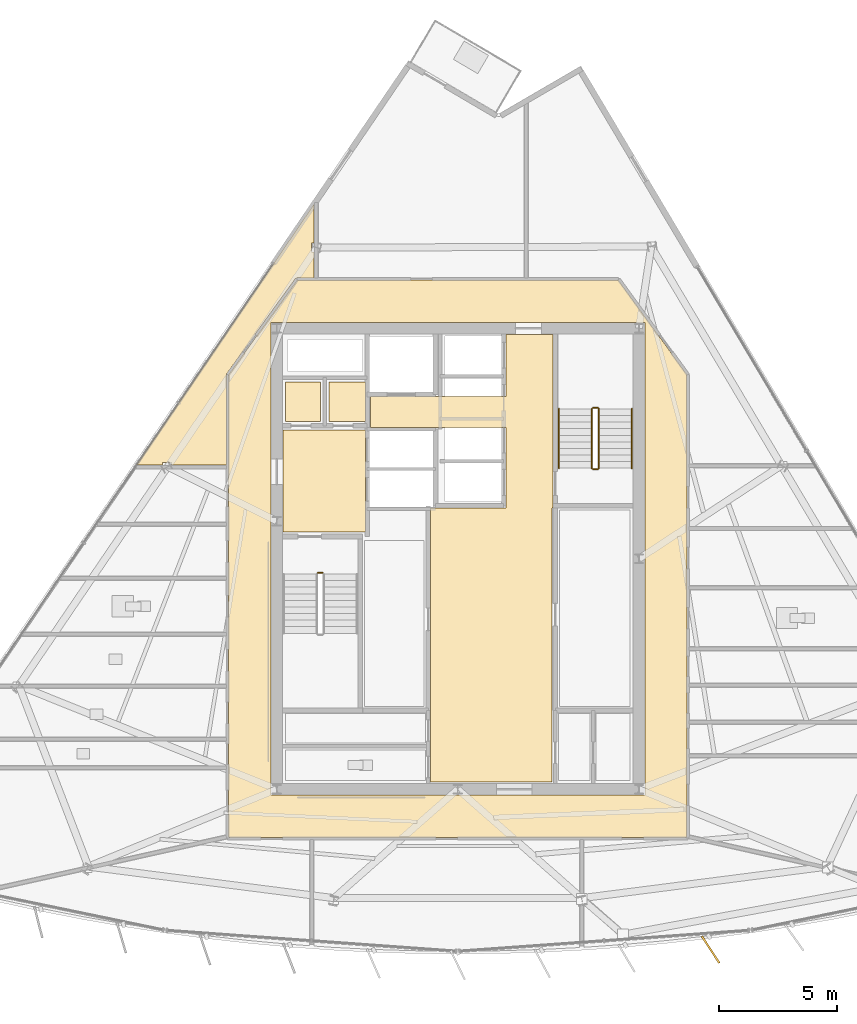
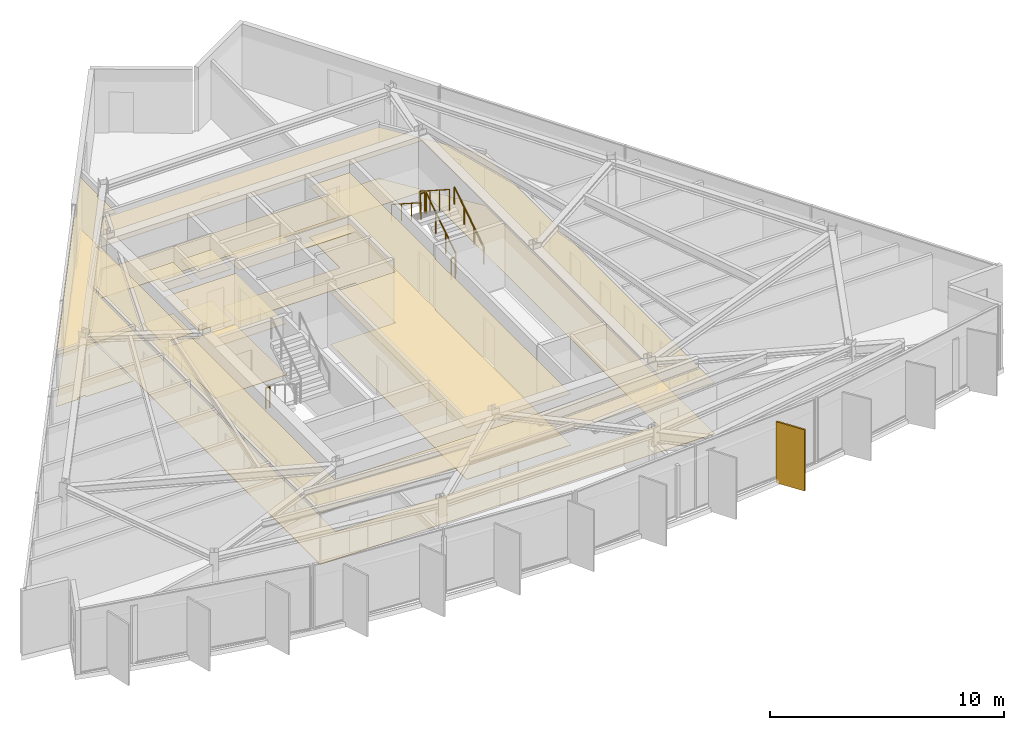
# One storey, part 11 of 13: 12 coverings, 7 railings, 1 shading device.
"""IFC4 building model written with IfcOpenShell, lengths in metres."""

from ifc_helpers import new_model, si_unit, direction, frame, origin, origin_2d, place, context, subcontext, project, spatial, polyline, rectangle, circle, outline, extrude, material, layer, layer_set, type_object, element, save


model = new_model("IFC4")

# Units and contexts
model_context = context("Model", 3, precision=1e-05, world=origin(), true_north=direction((0.0, 1.0)))
body_context = subcontext(model_context, "Body", "Model", "MODEL_VIEW")
ifc_project = project(units=[si_unit("LENGTHUNIT", "METRE"), si_unit("AREAUNIT", "SQUARE_METRE"), si_unit("VOLUMEUNIT", "CUBIC_METRE"), si_unit("PLANEANGLEUNIT", "RADIAN"), si_unit("MASSUNIT", "GRAM", prefix="KILO")], contexts=[model_context])

# Site, building, storey
site_placement = place(None, origin())
site = spatial("IfcSite", under=ifc_project, at=site_placement, CompositionType="ELEMENT")
building_placement = place(site_placement, origin())
building = spatial("IfcBuilding", under=site, at=building_placement, Name="Savorim Split Tower", CompositionType="ELEMENT")
storey_placement = place(building_placement, frame((0.0, 0.0, 258.0)))
storey = spatial("IfcBuildingStorey", under=building, at=storey_placement, Name="L68", CompositionType="ELEMENT", Elevation=258.0)

# Coverings
ifc_material_1 = material(Name="Mineral Fibre Acoustic Ceiling")
ifc_layer_1 = layer(ifc_material_1, 0.02490234375)
ifc_layer_set_1 = layer_set([ifc_layer_1], Name="COV-CEIL-25")
covering_type_1 = type_object("IfcCoveringType", Name="COV-CEIL-25", PredefinedType="CEILING", material=ifc_layer_set_1)
covering_1_placement = place(storey_placement, frame((0.0, 0.0, 2.669921875)))
element("IfcCovering", 1, at=covering_1_placement, inside=storey, type_object=covering_type_1, Name="L68 Firefighting Lift Lobby Acoustic Ceiling", PredefinedType="CEILING", context=body_context, shape_type="SweptSolid", body=[
    extrude(outline(polyline([(-7.429931640625, 5.8701171875), (-7.429931640625, 1.530029296875), (-3.929931640625, 1.530029296875), (-3.929931640625, 5.8701171875), (-7.429931640625, 5.8701171875)])), origin(), (0.0, 0.0, 1.0), 0.025146484375),
])
covering_2_placement = place(storey_placement, frame((0.0, 0.0, 2.669921875)))
element("IfcCovering", 2, at=covering_2_placement, inside=storey, type_object=covering_type_1, Name="L68 Electrical Riser Acoustic Ceiling", PredefinedType="CEILING", context=body_context, shape_type="SweptSolid", body=[
    extrude(outline(polyline([(-7.320068359375, 7.919921875), (-7.320068359375, 6.22998046875), (-5.830078125, 6.22998046875), (-5.830078125, 7.919921875), (-7.320068359375, 7.919921875)])), origin(), (0.0, 0.0, 1.0), 0.025146484375),
])
covering_3_placement = place(storey_placement, frame((0.0, 0.0, 2.669921875)))
element("IfcCovering", 3, at=covering_3_placement, inside=storey, type_object=covering_type_1, Name="L68 Telecom Riser Acoustic Ceiling", PredefinedType="CEILING", context=body_context, shape_type="SweptSolid", body=[
    extrude(outline(polyline([(-5.469970703125, 7.919921875), (-5.469970703125, 6.22998046875), (-3.929931640625, 6.22998046875), (-3.929931640625, 7.919921875), (-5.469970703125, 7.919921875)])), origin(), (0.0, 0.0, 1.0), 0.025146484375),
])
covering_4_placement = place(storey_placement, frame((0.0, 0.0, 2.669921875)))
element("IfcCovering", 4, at=covering_4_placement, inside=storey, type_object=covering_type_1, Name="L68 Lift Lobby Acoustic Ceiling", PredefinedType="CEILING", context=body_context, shape_type="SweptSolid", body=[
    extrude(outline(polyline([(2.050048828125, 2.550048828125), (-1.14990234375, 2.550048828125), (-1.14990234375, -9.10009765625), (4.0, -9.10009765625), (4.0, 2.550048828125), (4.050048828125, 2.550048828125), (4.050048828125, 5.97998046875), (4.050048828125, 7.300048828125), (4.050048828125, 9.929931640625), (2.050048828125, 9.929931640625), (2.050048828125, 7.300048828125), (-3.699951171875, 7.300048828125), (-3.699951171875, 5.97998046875), (2.050048828125, 5.97998046875), (2.050048828125, 2.550048828125)])), origin(), (0.0, 0.0, 1.0), 0.025146484375),
])
covering_5_placement = place(storey_placement, frame((0.0, 0.0, 2.669921875)))
element("IfcCovering", 5, at=covering_5_placement, inside=storey, type_object=covering_type_1, Name="L68 Corridor Acoustic Ceiling", PredefinedType="CEILING", context=body_context, shape_type="SweptSolid", body=[
    extrude(outline(polyline([(6.809326171875, 12.2490234375), (6.8046875, 12.249755859375), (6.800048828125, 12.25), (-6.800048828125, 12.25), (-6.8046875, 12.249755859375), (-6.809326171875, 12.2490234375), (-6.81396484375, 12.248046875), (-6.818359375, 12.24658203125), (-6.82275390625, 12.244384765625), (-6.826904296875, 12.2421875), (-6.830810546875, 12.239501953125), (-6.834228515625, 12.236328125), (-6.83740234375, 12.23291015625), (-6.840576171875, 12.229248046875), (-9.740478515625, 8.229248046875), (-9.743408203125, 8.22509765625), (-9.74560546875, 8.22021484375), (-9.74755859375, 8.21533203125), (-9.748779296875, 8.21044921875), (-9.749755859375, 8.205078125), (-9.75, 8.199951171875), (-9.75, -11.39990234375), (-9.749755859375, -11.40478515625), (-9.7490234375, -11.409912109375), (-9.747802734375, -11.41455078125), (-9.74609375, -11.419189453125), (-9.744140625, -11.423583984375), (-9.74169921875, -11.427734375), (-9.73876953125, -11.431640625), (-9.7353515625, -11.435302734375), (-9.731689453125, -11.438720703125), (-9.727783203125, -11.441650390625), (-9.7236328125, -11.444091796875), (-9.718994140625, -11.4462890625), (-9.714599609375, -11.44775390625), (-9.709716796875, -11.448974609375), (-9.704833984375, -11.44970703125), (-9.699951171875, -11.449951171875), (9.699951171875, -11.449951171875), (9.704833984375, -11.44970703125), (9.709716796875, -11.448974609375), (9.714599609375, -11.44775390625), (9.718994140625, -11.4462890625), (9.7236328125, -11.444091796875), (9.727783203125, -11.441650390625), (9.731689453125, -11.438720703125), (9.7353515625, -11.435302734375), (9.73876953125, -11.431640625), (9.74169921875, -11.427734375), (9.744140625, -11.423583984375), (9.74609375, -11.419189453125), (9.747802734375, -11.41455078125), (9.7490234375, -11.409912109375), (9.749755859375, -11.40478515625), (9.75, -11.39990234375), (9.75, 8.199951171875), (9.749755859375, 8.205078125), (9.748779296875, 8.21044921875), (9.74755859375, 8.21533203125), (9.74560546875, 8.22021484375), (9.743408203125, 8.22509765625), (9.740478515625, 8.229248046875), (6.840576171875, 12.229248046875), (6.83740234375, 12.23291015625), (6.834228515625, 12.236328125), (6.830810546875, 12.239501953125), (6.826904296875, 12.2421875), (6.82275390625, 12.244384765625), (6.818359375, 12.24658203125), (6.81396484375, 12.248046875), (6.809326171875, 12.2490234375)]), holes=[polyline([(-7.949951171875, 10.449951171875), (-7.949951171875, -9.64990234375), (7.949951171875, -9.64990234375), (7.949951171875, 10.449951171875), (-7.949951171875, 10.449951171875)])]), origin(), (0.0, 0.0, 1.0), 0.025146484375),
])
covering_6_placement = place(storey_placement, frame((0.0, 0.0, 2.669921875)))
element("IfcCovering", 6, at=covering_6_placement, inside=storey, type_object=covering_type_1, Name="L68 Co-Living Bedroom Acoustic Ceiling", PredefinedType="CEILING", context=body_context, shape_type="SweptSolid", body=[
    extrude(outline(polyline([(-6.813232421875, 12.33935546875), (-6.800048828125, 12.340087890625), (-6.106201171875, 12.340087890625), (-6.106201171875, 13.433349609375), (-6.208251953125, 13.433349609375), (-6.208251953125, 13.8251953125), (-6.106201171875, 13.8251953125), (-6.106201171875, 15.485595703125), (-13.650634765625, 4.3955078125), (-12.554443359375, 4.3955078125), (-12.554443359375, 4.49658203125), (-12.160400390625, 4.49658203125), (-12.160400390625, 4.3955078125), (-9.840087890625, 4.3955078125), (-9.840087890625, 8.199951171875), (-9.839111328125, 8.214599609375), (-9.8369140625, 8.22900390625), (-9.833251953125, 8.2431640625), (-9.827880859375, 8.2568359375), (-9.8212890625, 8.27001953125), (-9.813232421875, 8.2822265625), (-6.913330078125, 12.2822265625), (-6.905029296875, 12.29248046875), (-6.89599609375, 12.302001953125), (-6.885986328125, 12.310546875), (-6.875, 12.318115234375), (-6.863525390625, 12.32470703125), (-6.8515625, 12.330078125), (-6.839111328125, 12.33447265625), (-6.826416015625, 12.33740234375), (-6.813232421875, 12.33935546875)])), origin(), (0.0, 0.0, 1.0), 0.025146484375),
])
ifc_material_2 = material(Name="Porcelain Stoneware Flooring", Category="masonry")
ifc_layer_2 = layer(ifc_material_2, 0.02001953125)
ifc_layer_set_2 = layer_set([ifc_layer_2], Name="COV-FLOR-20")
covering_type_2 = type_object("IfcCoveringType", Name="COV-FLOR-20", PredefinedType="FLOORING", material=ifc_layer_set_2)
covering_7_placement = place(storey_placement, origin())
element("IfcCovering", 7, at=covering_7_placement, inside=storey, type_object=covering_type_2, Name="L68 Firefighting Lift Lobby Porcelain Flooring", PredefinedType="FLOORING", context=body_context, shape_type="SweptSolid", body=[
    extrude(outline(polyline([(-7.429931640625, 5.8701171875), (-7.429931640625, 1.530029296875), (-3.929931640625, 1.530029296875), (-3.929931640625, 5.8701171875), (-7.429931640625, 5.8701171875)])), origin(), (0.0, 0.0, 1.0), 0.02001953125),
])
covering_8_placement = place(storey_placement, origin())
element("IfcCovering", 8, at=covering_8_placement, inside=storey, type_object=covering_type_2, Name="L68 Electrical Riser Porcelain Flooring", PredefinedType="FLOORING", context=body_context, shape_type="SweptSolid", body=[
    extrude(outline(polyline([(-7.320068359375, 7.919921875), (-7.320068359375, 6.22998046875), (-5.830078125, 6.22998046875), (-5.830078125, 7.919921875), (-7.320068359375, 7.919921875)])), origin(), (0.0, 0.0, 1.0), 0.02001953125),
])
covering_9_placement = place(storey_placement, origin())
element("IfcCovering", 9, at=covering_9_placement, inside=storey, type_object=covering_type_2, Name="L68 Telecom Riser Porcelain Flooring", PredefinedType="FLOORING", context=body_context, shape_type="SweptSolid", body=[
    extrude(outline(polyline([(-5.469970703125, 7.919921875), (-5.469970703125, 6.22998046875), (-3.929931640625, 6.22998046875), (-3.929931640625, 7.919921875), (-5.469970703125, 7.919921875)])), origin(), (0.0, 0.0, 1.0), 0.02001953125),
])
covering_10_placement = place(storey_placement, origin())
element("IfcCovering", 10, at=covering_10_placement, inside=storey, type_object=covering_type_2, Name="L68 Lift Lobby Porcelain Flooring", PredefinedType="FLOORING", context=body_context, shape_type="SweptSolid", body=[
    extrude(outline(polyline([(2.050048828125, 2.550048828125), (-1.14990234375, 2.550048828125), (-1.14990234375, -9.10009765625), (4.0, -9.10009765625), (4.0, 2.550048828125), (4.050048828125, 2.550048828125), (4.050048828125, 5.97998046875), (4.050048828125, 7.300048828125), (4.050048828125, 9.929931640625), (2.050048828125, 9.929931640625), (2.050048828125, 7.300048828125), (-3.699951171875, 7.300048828125), (-3.699951171875, 5.97998046875), (2.050048828125, 5.97998046875), (2.050048828125, 2.550048828125)])), origin(), (0.0, 0.0, 1.0), 0.02001953125),
])
covering_11_placement = place(storey_placement, origin())
element("IfcCovering", 11, at=covering_11_placement, inside=storey, type_object=covering_type_2, Name="L68 Corridor Porcelain Flooring", PredefinedType="FLOORING", context=body_context, shape_type="SweptSolid", body=[
    extrude(outline(polyline([(6.809326171875, 12.2490234375), (6.8046875, 12.249755859375), (6.800048828125, 12.25), (-6.800048828125, 12.25), (-6.8046875, 12.249755859375), (-6.809326171875, 12.2490234375), (-6.81396484375, 12.248046875), (-6.818359375, 12.24658203125), (-6.82275390625, 12.244384765625), (-6.826904296875, 12.2421875), (-6.830810546875, 12.239501953125), (-6.834228515625, 12.236328125), (-6.83740234375, 12.23291015625), (-6.840576171875, 12.229248046875), (-9.740478515625, 8.229248046875), (-9.743408203125, 8.22509765625), (-9.74560546875, 8.22021484375), (-9.74755859375, 8.21533203125), (-9.748779296875, 8.21044921875), (-9.749755859375, 8.205078125), (-9.75, 8.199951171875), (-9.75, -11.39990234375), (-9.749755859375, -11.40478515625), (-9.7490234375, -11.409912109375), (-9.747802734375, -11.41455078125), (-9.74609375, -11.419189453125), (-9.744140625, -11.423583984375), (-9.74169921875, -11.427734375), (-9.73876953125, -11.431640625), (-9.7353515625, -11.435302734375), (-9.731689453125, -11.438720703125), (-9.727783203125, -11.441650390625), (-9.7236328125, -11.444091796875), (-9.718994140625, -11.4462890625), (-9.714599609375, -11.44775390625), (-9.709716796875, -11.448974609375), (-9.704833984375, -11.44970703125), (-9.699951171875, -11.449951171875), (9.699951171875, -11.449951171875), (9.704833984375, -11.44970703125), (9.709716796875, -11.448974609375), (9.714599609375, -11.44775390625), (9.718994140625, -11.4462890625), (9.7236328125, -11.444091796875), (9.727783203125, -11.441650390625), (9.731689453125, -11.438720703125), (9.7353515625, -11.435302734375), (9.73876953125, -11.431640625), (9.74169921875, -11.427734375), (9.744140625, -11.423583984375), (9.74609375, -11.419189453125), (9.747802734375, -11.41455078125), (9.7490234375, -11.409912109375), (9.749755859375, -11.40478515625), (9.75, -11.39990234375), (9.75, 8.199951171875), (9.749755859375, 8.205078125), (9.748779296875, 8.21044921875), (9.74755859375, 8.21533203125), (9.74560546875, 8.22021484375), (9.743408203125, 8.22509765625), (9.740478515625, 8.229248046875), (6.840576171875, 12.229248046875), (6.83740234375, 12.23291015625), (6.834228515625, 12.236328125), (6.830810546875, 12.239501953125), (6.826904296875, 12.2421875), (6.82275390625, 12.244384765625), (6.818359375, 12.24658203125), (6.81396484375, 12.248046875), (6.809326171875, 12.2490234375)]), holes=[polyline([(-7.949951171875, 10.449951171875), (-7.949951171875, -9.64990234375), (7.949951171875, -9.64990234375), (7.949951171875, 10.449951171875), (-7.949951171875, 10.449951171875)])]), origin(), (0.0, 0.0, 1.0), 0.02001953125),
])
covering_12_placement = place(storey_placement, origin())
element("IfcCovering", 12, at=covering_12_placement, inside=storey, type_object=covering_type_2, Name="L68 Co-Living Bedroom Porcelain Flooring", PredefinedType="FLOORING", context=body_context, shape_type="SweptSolid", body=[
    extrude(outline(polyline([(-6.813232421875, 12.33935546875), (-6.800048828125, 12.340087890625), (-6.106201171875, 12.340087890625), (-6.106201171875, 13.433349609375), (-6.208251953125, 13.433349609375), (-6.208251953125, 13.8251953125), (-6.106201171875, 13.8251953125), (-6.106201171875, 15.485595703125), (-13.650634765625, 4.3955078125), (-12.554443359375, 4.3955078125), (-12.554443359375, 4.49658203125), (-12.160400390625, 4.49658203125), (-12.160400390625, 4.3955078125), (-9.840087890625, 4.3955078125), (-9.840087890625, 8.199951171875), (-9.839111328125, 8.214599609375), (-9.8369140625, 8.22900390625), (-9.833251953125, 8.2431640625), (-9.827880859375, 8.2568359375), (-9.8212890625, 8.27001953125), (-9.813232421875, 8.2822265625), (-6.913330078125, 12.2822265625), (-6.905029296875, 12.29248046875), (-6.89599609375, 12.302001953125), (-6.885986328125, 12.310546875), (-6.875, 12.318115234375), (-6.863525390625, 12.32470703125), (-6.8515625, 12.330078125), (-6.839111328125, 12.33447265625), (-6.826416015625, 12.33740234375), (-6.813232421875, 12.33935546875)])), origin(), (0.0, 0.0, 1.0), 0.02001953125),
])

# Railings
ifc_material_3 = material(Name="Galvanised Painted Steel Balustrade", Category="steel")
railing_type_1 = type_object("IfcRailingType", Name="RLG-HR-900", PredefinedType="HANDRAIL", material=ifc_material_3)
railing_1_placement = place(storey_placement, frame((7.39990234375, 4.25, 0.179931640625)))
element("IfcRailing", 13, at=railing_1_placement, inside=storey, type_object=railing_type_1, Name="L68 ST-2 stair handrail 1", PredefinedType="HANDRAIL", context=body_context, shape_type="SweptSolid", body=[
    extrude(circle(Radius=0.02392578125, at=origin_2d()), frame((0.0, 0.0, 0.8759765625), z_axis=(0.0, 0.841162588446, 0.540782303519), x_axis=(-1.0, 0.0, 0.0)), (0.0, 0.0, 1.0), 2.995849609375),
    extrude(circle(Radius=0.02099609375, at=origin_2d()), origin(), (0.0, 0.0, 1.0), 0.851806640625),
    extrude(circle(Radius=0.02099609375, at=origin_2d()), frame((0.0, 0.840087890625, 0.5400390625)), (0.0, 0.0, 1.0), 0.851806640625),
    extrude(circle(Radius=0.02099609375, at=origin_2d()), frame((0.0, 1.679931640625, 1.080078125)), (0.0, 0.0, 1.0), 0.851806640625),
    extrude(circle(Radius=0.02099609375, at=origin_2d()), frame((0.0, 2.52001953125, 1.6201171875)), (0.0, 0.0, 1.0), 0.851806640625),
])
railing_2_placement = place(storey_placement, frame((4.300048828125, 6.77001953125, 1.97998046875)))
element("IfcRailing", 14, at=railing_2_placement, inside=storey, type_object=railing_type_1, Name="L68 ST-2 stair handrail 2", PredefinedType="HANDRAIL", context=body_context, shape_type="SweptSolid", body=[
    extrude(circle(Radius=0.02392578125, at=origin_2d()), frame((0.0, 0.0, 0.8759765625), z_axis=(0.0, -0.841162588446, 0.540782303519), x_axis=(1.0, 0.0, 0.0)), (0.0, 0.0, 1.0), 2.995849609375),
    extrude(circle(Radius=0.02099609375, at=origin_2d()), origin(), (0.0, 0.0, 1.0), 0.851806640625),
    extrude(circle(Radius=0.02099609375, at=origin_2d()), frame((0.0, -0.840087890625, 0.5400390625)), (0.0, 0.0, 1.0), 0.851806640625),
    extrude(circle(Radius=0.02099609375, at=origin_2d()), frame((0.0, -1.679931640625, 1.080078125)), (0.0, 0.0, 1.0), 0.851806640625),
    extrude(circle(Radius=0.02099609375, at=origin_2d()), frame((0.0, -2.52001953125, 1.6201171875)), (0.0, 0.0, 1.0), 0.851806640625),
])
railing_type_2 = type_object("IfcRailingType", Name="RLG-STG-1100", PredefinedType="BALUSTRADE", material=ifc_material_3)
railing_3_placement = place(storey_placement, frame((-5.949951171875, -0.199951171875, 0.0)))
element("IfcRailing", 15, at=railing_3_placement, inside=storey, type_object=railing_type_2, Name="L68 ST-1 stair guard 4", PredefinedType="BALUSTRADE", context=body_context, shape_type="SweptSolid", body=[
    extrude(circle(Radius=0.02392578125, at=origin_2d()), frame((0.0, 0.0, 1.076171875), z_axis=(1.0, 0.0, 0.0), x_axis=(0.0, 1.0, 0.0)), (0.0, 0.0, 1.0), 0.199951171875),
    extrude(circle(Radius=0.02099609375, at=origin_2d()), origin(), (0.0, 0.0, 1.0), 1.052001953125),
    extrude(circle(Radius=0.02099609375, at=origin_2d()), frame((0.199951171875, 0.0, 0.0)), (0.0, 0.0, 1.0), 1.052001953125),
])
railing_4_placement = place(storey_placement, frame((6.0, 4.25, 0.179931640625)))
element("IfcRailing", 16, at=railing_4_placement, inside=storey, type_object=railing_type_2, Name="L68 ST-2 stair guard 1", PredefinedType="BALUSTRADE", context=body_context, shape_type="SweptSolid", body=[
    extrude(circle(Radius=0.02392578125, at=origin_2d()), frame((0.0, 0.0, 1.076171875), z_axis=(0.0, 0.841162588446, 0.540782303519), x_axis=(-1.0, 0.0, 0.0)), (0.0, 0.0, 1.0), 2.995849609375),
    extrude(circle(Radius=0.02099609375, at=origin_2d()), origin(), (0.0, 0.0, 1.0), 1.052001953125),
    extrude(circle(Radius=0.02099609375, at=origin_2d()), frame((0.0, 0.840087890625, 0.5400390625)), (0.0, 0.0, 1.0), 1.052001953125),
    extrude(circle(Radius=0.02099609375, at=origin_2d()), frame((0.0, 1.679931640625, 1.080078125)), (0.0, 0.0, 1.0), 1.052001953125),
    extrude(circle(Radius=0.02099609375, at=origin_2d()), frame((0.0, 2.52001953125, 1.6201171875)), (0.0, 0.0, 1.0), 1.052001953125),
])
railing_5_placement = place(storey_placement, frame((5.949951171875, 6.820068359375, 1.800048828125)))
element("IfcRailing", 17, at=railing_5_placement, inside=storey, type_object=railing_type_2, Name="L68 ST-2 stair guard 2", PredefinedType="BALUSTRADE", context=body_context, shape_type="SweptSolid", body=[
    extrude(circle(Radius=0.02392578125, at=origin_2d()), frame((0.0, 0.0, 1.076171875), z_axis=(-1.0, 0.0, 0.0), x_axis=(0.0, -1.0, 0.0)), (0.0, 0.0, 1.0), 0.199951171875),
    extrude(circle(Radius=0.02099609375, at=origin_2d()), origin(), (0.0, 0.0, 1.0), 1.052001953125),
    extrude(circle(Radius=0.02099609375, at=origin_2d()), frame((-0.199951171875, 0.0, 0.0)), (0.0, 0.0, 1.0), 1.052001953125),
])
railing_6_placement = place(storey_placement, frame((5.699951171875, 6.77001953125, 1.97998046875)))
element("IfcRailing", 18, at=railing_6_placement, inside=storey, type_object=railing_type_2, Name="L68 ST-2 stair guard 3", PredefinedType="BALUSTRADE", context=body_context, shape_type="SweptSolid", body=[
    extrude(circle(Radius=0.02392578125, at=origin_2d()), frame((0.0, 0.0, 1.076171875), z_axis=(0.0, -0.841162588446, 0.540782303519), x_axis=(1.0, 0.0, 0.0)), (0.0, 0.0, 1.0), 2.995849609375),
    extrude(circle(Radius=0.02099609375, at=origin_2d()), origin(), (0.0, 0.0, 1.0), 1.052001953125),
    extrude(circle(Radius=0.02099609375, at=origin_2d()), frame((0.0, -0.840087890625, 0.5400390625)), (0.0, 0.0, 1.0), 1.052001953125),
    extrude(circle(Radius=0.02099609375, at=origin_2d()), frame((0.0, -1.679931640625, 1.080078125)), (0.0, 0.0, 1.0), 1.052001953125),
    extrude(circle(Radius=0.02099609375, at=origin_2d()), frame((0.0, -2.52001953125, 1.6201171875)), (0.0, 0.0, 1.0), 1.052001953125),
])
railing_7_placement = place(storey_placement, frame((5.949951171875, 4.199951171875, 0.0)))
element("IfcRailing", 19, at=railing_7_placement, inside=storey, type_object=railing_type_2, Name="L68 ST-2 stair guard 4", PredefinedType="BALUSTRADE", context=body_context, shape_type="SweptSolid", body=[
    extrude(circle(Radius=0.02392578125, at=origin_2d()), frame((0.0, 0.0, 1.076171875), z_axis=(-1.0, 0.0, 0.0), x_axis=(0.0, -1.0, 0.0)), (0.0, 0.0, 1.0), 0.199951171875),
    extrude(circle(Radius=0.02099609375, at=origin_2d()), origin(), (0.0, 0.0, 1.0), 1.052001953125),
    extrude(circle(Radius=0.02099609375, at=origin_2d()), frame((-0.199951171875, 0.0, 0.0)), (0.0, 0.0, 1.0), 1.052001953125),
])

# Shading device
ifc_material_4 = material(Name="Terracotta Ceramic-Coated Aluminium Fin", Category="masonry")
shading_device_type = type_object("IfcShadingDeviceType", Name="SHD-FIN-1360", PredefinedType="USERDEFINED", material=ifc_material_4)
shading_device_placement = place(storey_placement, frame((10.748291015625, -16.218505859375, -0.2001953125), z_axis=(0.0, 0.0, 1.0), x_axis=(0.545148321708, -0.838339613366, 0.0)))
element("IfcShadingDevice", 20, at=shading_device_placement, inside=storey, type_object=shading_device_type, Name="L68 Sawtooth Shading Fin 10", ObjectType="FIN", PredefinedType="USERDEFINED", context=body_context, shape_type="SweptSolid", body=[
    extrude(rectangle(XDim=1.360107421875, YDim=0.080078125, at=origin_2d()), origin(), (0.0, 0.0, 1.0), 3.199951171875),
])

save(model, "model.ifc")
